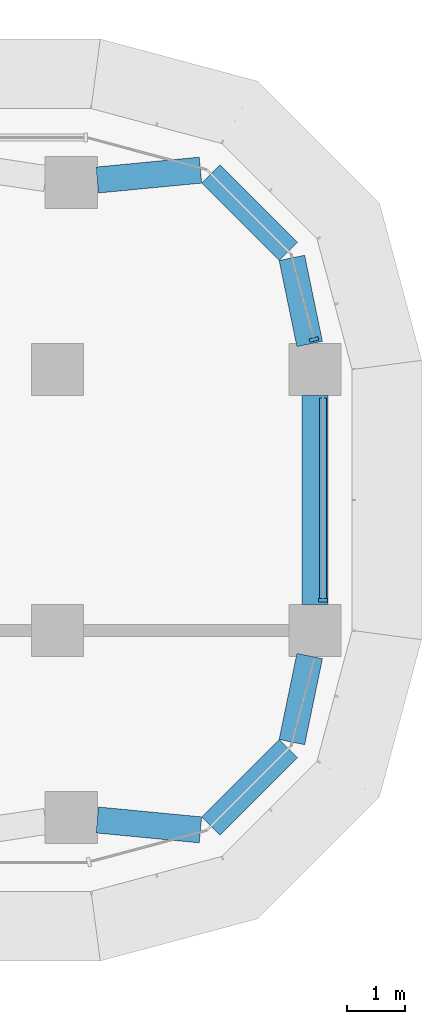
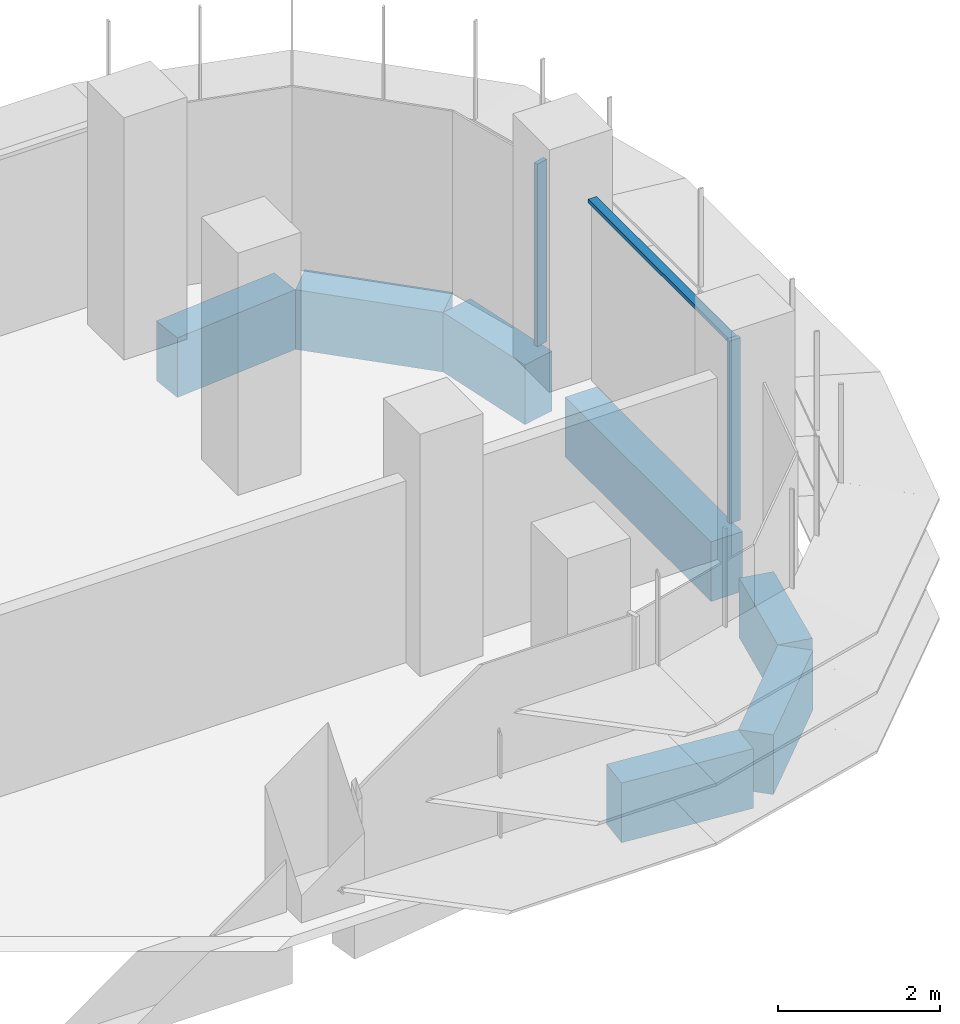
# One storey, part 11 of 23: 7 beams, 3 members, 2 elements without a shape of their own.
"""IFC4 building model written with IfcOpenShell, lengths in metres."""

from ifc_helpers import new_model, si_unit, direction, frame, origin, origin_2d, place, context, subcontext, project, spatial, polyline, rectangle, outline, extrude, source, transform, mapped, material, material_profile, profile_set, type_object, element, aggregate, save


model = new_model("IFC4")

# Units and contexts
model_context = context("Model", 3, precision=1e-05, world=origin(), true_north=direction((0.0, 1.0)))
body_context = subcontext(model_context, "Body", "Model", "MODEL_VIEW")
ifc_project = project(units=[si_unit("LENGTHUNIT", "METRE"), si_unit("AREAUNIT", "SQUARE_METRE"), si_unit("VOLUMEUNIT", "CUBIC_METRE"), si_unit("PLANEANGLEUNIT", "RADIAN"), si_unit("MASSUNIT", "GRAM", prefix="KILO")], contexts=[model_context])

# Site, building, storey
site_placement = place(None, origin())
site = spatial("IfcSite", under=ifc_project, at=site_placement, CompositionType="ELEMENT")
building_placement = place(site_placement, origin())
building = spatial("IfcBuilding", under=site, at=building_placement, Name="Zarbagh Exchange Tower", CompositionType="ELEMENT")
storey_placement = place(building_placement, frame((0.0, 0.0, 90.39990234375)))
storey = spatial("IfcBuildingStorey", under=building, at=storey_placement, Name="L20", CompositionType="ELEMENT", Elevation=90.39990234375)

# Beams
ifc_material_1 = material(Name="Concrete C60/75", Category="concrete")
ifc_material_profile = material_profile(ifc_material_1, rectangle(XDim=0.449951171875, YDim=0.89990234375, at=origin_2d()), Name="RC spandrel beam 450 x 900 C60/75")
ifc_profile_set = profile_set([ifc_material_profile], Name="Concrete C60/75")
beam_type = type_object("IfcBeamType", Name="RC spandrel beam 450 x 900 C60/75", PredefinedType="SPANDREL", material=ifc_profile_set)
beam_1_placement = place(storey_placement, frame((29.35595703125, 5.51806640625, -0.599853515625), z_axis=(0.995433267802, 0.095459988228, 0.0), x_axis=(-0.095459988228, 0.995433267802, 0.0)))
element("IfcBeam", 1, at=beam_1_placement, inside=storey, type_object=beam_type, Name="RC spandrel beam", PredefinedType="SPANDREL", context=body_context, shape_type="SweptSolid", body=[
    extrude(rectangle(XDim=0.449951171875, YDim=0.89990234375, at=origin_2d()), origin(), (0.0, 0.0, 1.0), 1.78759765625),
])
beam_2_placement = place(storey_placement, frame((31.316162109375, 5.623779296875, -0.599853515625), z_axis=(0.707106781187, -0.707106781187, 0.0), x_axis=(0.707106781187, 0.707106781187, 0.0)))
element("IfcBeam", 2, at=beam_2_placement, inside=storey, type_object=beam_type, Name="RC spandrel beam", PredefinedType="SPANDREL", context=body_context, shape_type="SweptSolid", body=[
    extrude(rectangle(XDim=0.449951171875, YDim=0.89990234375, at=origin_2d()), origin(), (0.0, 0.0, 1.0), 1.887939453125),
])
beam_3_placement = place(storey_placement, frame((32.71240234375, 4.17529296875, -0.599853515625), z_axis=(0.202275417995, -0.979328675816, 0.0), x_axis=(0.979328675816, 0.202275417995, 0.0)))
element("IfcBeam", 3, at=beam_3_placement, inside=storey, type_object=beam_type, Name="RC spandrel beam", PredefinedType="SPANDREL", context=body_context, shape_type="SweptSolid", body=[
    extrude(rectangle(XDim=0.449951171875, YDim=0.89990234375, at=origin_2d()), origin(), (0.0, 0.0, 1.0), 1.515869140625),
])
beam_4_placement = place(storey_placement, frame((33.110107421875, 1.800048828125, -0.599853515625), z_axis=(0.0, -1.0, 0.0), x_axis=(1.0, 0.0, 0.0)))
element("IfcBeam", 4, at=beam_4_placement, inside=storey, type_object=beam_type, Name="RC spandrel beam", PredefinedType="SPANDREL", context=body_context, shape_type="SweptSolid", body=[
    extrude(rectangle(XDim=0.449951171875, YDim=0.89990234375, at=origin_2d()), origin(), (0.0, 0.0, 1.0), 3.60009765625),
])
beam_5_placement = place(storey_placement, frame((33.01904296875, -2.690673828125, -0.599853515625), z_axis=(-0.202275417995, -0.979328675816, 0.0), x_axis=(0.979328675816, -0.202275417995, 0.0)))
element("IfcBeam", 5, at=beam_5_placement, inside=storey, type_object=beam_type, Name="RC spandrel beam", PredefinedType="SPANDREL", context=body_context, shape_type="SweptSolid", body=[
    extrude(rectangle(XDim=0.449951171875, YDim=0.89990234375, at=origin_2d()), origin(), (0.0, 0.0, 1.0), 1.515869140625),
])
beam_6_placement = place(storey_placement, frame((32.651123046875, -4.288818359375, -0.599853515625), z_axis=(-0.707106781187, -0.707106781187, 0.0), x_axis=(0.707106781187, -0.707106781187, 0.0)))
element("IfcBeam", 6, at=beam_6_placement, inside=storey, type_object=beam_type, Name="RC spandrel beam", PredefinedType="SPANDREL", context=body_context, shape_type="SweptSolid", body=[
    extrude(rectangle(XDim=0.449951171875, YDim=0.89990234375, at=origin_2d()), origin(), (0.0, 0.0, 1.0), 1.887939453125),
])
beam_7_placement = place(storey_placement, frame((31.135498046875, -5.688720703125, -0.599853515625), z_axis=(-0.995433267802, 0.095459988228, 0.0), x_axis=(-0.095459988228, -0.995433267802, 0.0)))
element("IfcBeam", 7, at=beam_7_placement, inside=storey, type_object=beam_type, Name="RC spandrel beam", PredefinedType="SPANDREL", context=body_context, shape_type="SweptSolid", body=[
    extrude(rectangle(XDim=0.449951171875, YDim=0.89990234375, at=origin_2d()), origin(), (0.0, 0.0, 1.0), 1.78759765625),
])

# Curtain wall, member
ifc_material_2 = material(Name="Anodised aluminium frame and glazing", Category="aluminium")
curtain_wall_type = type_object("IfcCurtainWallType", Name="CWA Ribbon glazing, lower zones", PredefinedType="NOTDEFINED", material=ifc_material_2)
curtain_wall_1_placement = place(storey_placement, origin())
curtain_wall_1 = element("IfcCurtainWall", 8, at=curtain_wall_1_placement, inside=storey, type_object=curtain_wall_type, Name="CWA12 curtain wall", PredefinedType="NOTDEFINED")
ifc_material_3 = material(Name="Anodised aluminium frame", Category="aluminium")
member_type_1 = type_object("IfcMemberType", Name="MUA Mullion, anodised aluminium frame", PredefinedType="MULLION", material=ifc_material_3)
shared_shape_1 = source(origin(), body_context, "Body", "SweptSolid", [
    extrude(outline(polyline([(0.0, -0.080078125), (0.06005859375, -0.080078125), (0.06005859375, 0.080078125), (0.0, 0.080078125), (0.0, -0.080078125)])), origin(), (0.0, 0.0, 1.0), 2.75),
])
placement = place(storey_placement, origin())
member_1 = element("IfcMember", 9, at=placement, type_object=member_type_1, Name="CWA12 mullion 1.1", PredefinedType="MULLION", context=body_context, shape_type="MappedRepresentation", body=[
    mapped(shared_shape_1, transform((33.25, -1.760009765625, 0.0), x_axis=(0.0, 1.0, 0.0), y_axis=(-1.0, 0.0, 0.0), z_axis=(0.0, 0.0, 1.0))),
])

curtain_wall_2_placement = place(storey_placement, origin())
curtain_wall_2 = element("IfcCurtainWall", 10, at=curtain_wall_2_placement, inside=storey, type_object=curtain_wall_type, Name="CWA13 curtain wall", PredefinedType="NOTDEFINED")
member_2 = element("IfcMember", 11, at=placement, type_object=member_type_1, Name="CWA13 mullion 1.1", PredefinedType="MULLION", context=body_context, shape_type="MappedRepresentation", body=[
    mapped(shared_shape_1, transform((33.10107421875, 2.739990234375, 0.0), x_axis=(-0.258824779902, 0.965924289636, 0.0), y_axis=(-0.965924289636, -0.258824779902, 0.0), z_axis=(0.0, 0.0, 1.0))),
])
aggregate(curtain_wall_2, [member_2])

# Member
member_type_2 = type_object("IfcMemberType", Name="TRA Transom, anodised aluminium frame", PredefinedType="USERDEFINED", material=ifc_material_3)
shared_shape_2 = source(origin(), body_context, "Body", "SweptSolid", [
    extrude(outline(polyline([(-0.06005859375, -0.06005859375), (0.0, -0.06005859375), (0.0, 0.06005859375), (-0.06005859375, 0.06005859375), (-0.06005859375, -0.06005859375)])), origin(), (0.0, 0.0, 1.0), 3.4599609375),
])
member_3 = element("IfcMember", 12, at=placement, type_object=member_type_2, Name="CWA12 transom 1.1", ObjectType="TRANSOM", PredefinedType="USERDEFINED", context=body_context, shape_type="MappedRepresentation", body=[
    mapped(shared_shape_2, transform((33.25, -1.699951171875, 2.75), x_axis=(0.0, 0.0, 1.0), y_axis=(1.0, 0.0, 0.0), z_axis=(0.0, 1.0, 0.0))),
])

aggregate(curtain_wall_1, [member_1, member_3])

save(model, "model.ifc")
